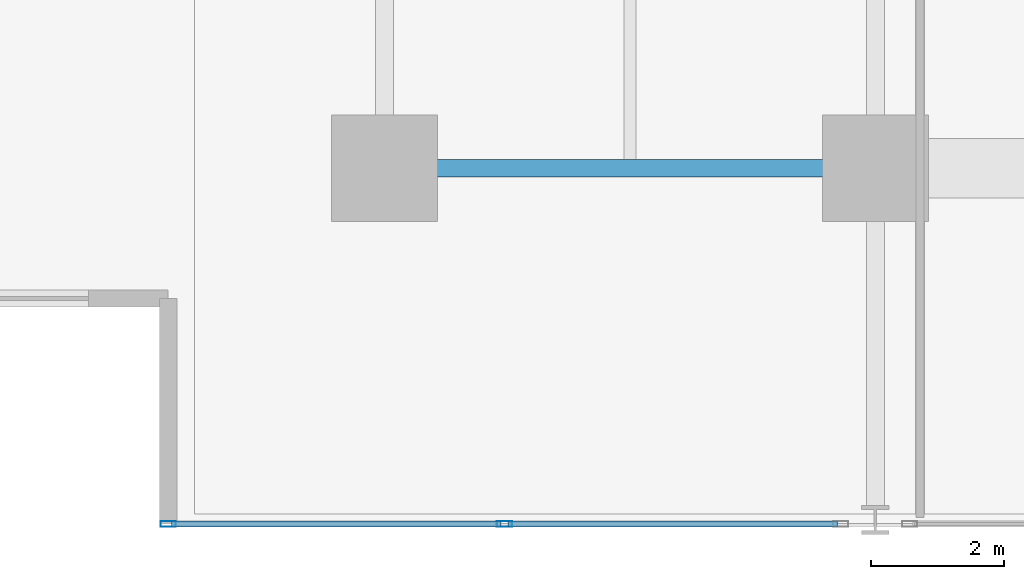
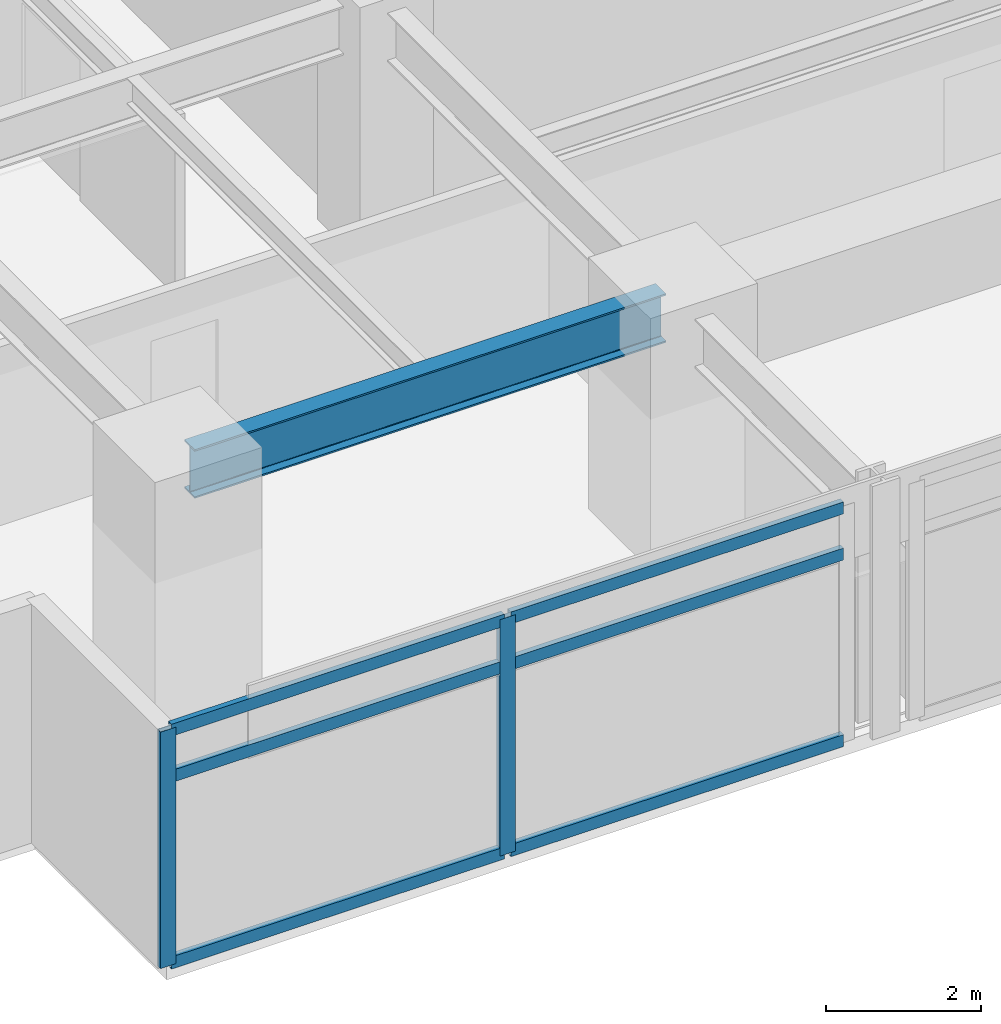
# One storey, part 2 of 20: 8 members, 1 beam, 1 element without a shape of its own.
"""IFC4 building model written with IfcOpenShell, lengths in metres."""

from ifc_helpers import new_model, si_unit, direction, frame, origin, origin_2d, place, context, subcontext, project, spatial, hollow_rectangle, i_section, extrude, material, material_profile, profile_set, type_object, element, aggregate, save


model = new_model("IFC4")

# Units and contexts
model_context = context("Model", 3, precision=1e-05, world=origin(), true_north=direction((0.0, 1.0)))
body_context = subcontext(model_context, "Body", "Model", "MODEL_VIEW")
ifc_project = project(units=[si_unit("LENGTHUNIT", "METRE"), si_unit("AREAUNIT", "SQUARE_METRE"), si_unit("VOLUMEUNIT", "CUBIC_METRE"), si_unit("PLANEANGLEUNIT", "RADIAN"), si_unit("MASSUNIT", "GRAM", prefix="KILO")], contexts=[model_context])

# Site, building, storey
site_placement = place(None, origin())
site = spatial("IfcSite", under=ifc_project, at=site_placement, CompositionType="ELEMENT")
building_placement = place(site_placement, origin())
building = spatial("IfcBuilding", under=site, at=building_placement, Name="Kovane Verandah Tower", CompositionType="ELEMENT")
storey_placement = place(building_placement, frame((0.0, 0.0, 160.39990234375)))
storey = spatial("IfcBuildingStorey", under=building, at=storey_placement, Name="L37", CompositionType="ELEMENT", Elevation=160.39990234375)

# Beam
ifc_material_1 = material(Name="Steel S355", Category="steel")
ifc_material_profile_1 = material_profile(ifc_material_1, i_section(OverallWidth=0.26806640625, OverallDepth=0.769775390625, WebThickness=0.015625, FlangeThickness=0.025390625, FilletRadius=0.0166015625, at=origin_2d()), Name="UB762x267x197")
ifc_profile_set_1 = profile_set([ifc_material_profile_1], Name="Steel S355")
beam_type = type_object("IfcBeamType", Name="BM-UB762x197", PredefinedType="BEAM", material=ifc_profile_set_1)
beam_placement = place(storey_placement, frame((21.780029296875, 10.800048828125, 3.39013671875), z_axis=(1.0, 0.0, 0.0), x_axis=(0.0, 1.0, 0.0)))
element("IfcBeam", 1, at=beam_placement, inside=storey, type_object=beam_type, Name="L37 Primary Tower Girder G-RS1", PredefinedType="BEAM", context=body_context, shape_type="SweptSolid", body=[
    extrude(i_section(OverallWidth=0.26806640625, OverallDepth=0.769775390625, WebThickness=0.015625, FlangeThickness=0.025390625, FilletRadius=0.0166015625, at=origin_2d()), origin(), (0.0, 0.0, 1.0), 7.0400390625),
])

# Curtain wall, members
ifc_material_2 = material(Name="Champagne Anodised Aluminium Frame with Low-E Clear Laminated Glass", Category="aluminium")
curtain_wall_type = type_object("IfcCurtainWallType", Name="CW-SYS-03-MID", PredefinedType="NOTDEFINED", material=ifc_material_2)
curtain_wall_placement = place(storey_placement, origin())
curtain_wall = element("IfcCurtainWall", 2, at=curtain_wall_placement, inside=storey, type_object=curtain_wall_type, Name="L37 S Unitised Curtain Wall-1", PredefinedType="NOTDEFINED")
ifc_material_3 = material(Name="Champagne Anodised Aluminium 6063-T6", Category="aluminium")
ifc_material_profile_2 = material_profile(ifc_material_3, hollow_rectangle(XDim=0.0849609375, YDim=0.22998046875, WallThickness=0.00390625, at=origin_2d()), Name="AL85x230x4")
ifc_profile_set_2 = profile_set([ifc_material_profile_2], Name="Champagne Anodised Aluminium 6063-T6")
member_type_1 = type_object("IfcMemberType", Name="CW-MUL-85x230", PredefinedType="MULLION", material=ifc_profile_set_2)
member_1_placement = place(storey_placement, frame((18.341064453125, 5.438720703125, 0.02001953125), z_axis=(0.0, 0.0, 1.0), x_axis=(0.0, -1.0, 0.0)))
member_1 = element("IfcMember", 3, at=member_1_placement, type_object=member_type_1, Name="L37 S Unitised Curtain Wall-1 Mullion 1", PredefinedType="MULLION", context=body_context, shape_type="SweptSolid", body=[
    extrude(hollow_rectangle(XDim=0.0849609375, YDim=0.22998046875, WallThickness=0.00390625, at=origin_2d()), origin(), (0.0, 0.0, 1.0), 3.735107421875),
])
member_2_placement = place(storey_placement, frame((23.410400390625, 5.438720703125, 0.02001953125), z_axis=(0.0, 0.0, 1.0), x_axis=(0.0, -1.0, 0.0)))
member_2 = element("IfcMember", 4, at=member_2_placement, type_object=member_type_1, Name="L37 S Unitised Curtain Wall-1 Mullion 2", PredefinedType="MULLION", context=body_context, shape_type="SweptSolid", body=[
    extrude(hollow_rectangle(XDim=0.0849609375, YDim=0.22998046875, WallThickness=0.00390625, at=origin_2d()), origin(), (0.0, 0.0, 1.0), 3.735107421875),
])
ifc_material_profile_3 = material_profile(ifc_material_3, hollow_rectangle(XDim=0.0849609375, YDim=0.18994140625, WallThickness=0.00390625, at=origin_2d()), Name="AL85x190x4")
ifc_profile_set_3 = profile_set([ifc_material_profile_3], Name="Champagne Anodised Aluminium 6063-T6")
member_type_2 = type_object("IfcMemberType", Name="CW-TRN-85x190", PredefinedType="USERDEFINED", material=ifc_profile_set_3)
member_3_placement = place(storey_placement, frame((18.39111328125, 5.438720703125, 0.050048828125), z_axis=(1.0, 0.0, 0.0), x_axis=(0.0, 1.0, 0.0)))
member_3 = element("IfcMember", 5, at=member_3_placement, type_object=member_type_2, Name="L37 S Unitised Curtain Wall-1 Transom TB Bay 1", ObjectType="TRANSOM", PredefinedType="USERDEFINED", context=body_context, shape_type="SweptSolid", body=[
    extrude(hollow_rectangle(XDim=0.0849609375, YDim=0.18994140625, WallThickness=0.00390625, at=origin_2d()), origin(), (0.0, 0.0, 1.0), 4.969482421875),
])
member_4_placement = place(storey_placement, frame((18.39111328125, 5.438720703125, 2.9951171875), z_axis=(1.0, 0.0, 0.0), x_axis=(0.0, 1.0, 0.0)))
member_4 = element("IfcMember", 6, at=member_4_placement, type_object=member_type_2, Name="L37 S Unitised Curtain Wall-1 Transom TM Bay 1", ObjectType="TRANSOM", PredefinedType="USERDEFINED", context=body_context, shape_type="SweptSolid", body=[
    extrude(hollow_rectangle(XDim=0.0849609375, YDim=0.18994140625, WallThickness=0.00390625, at=origin_2d()), origin(), (0.0, 0.0, 1.0), 4.969482421875),
])
member_5_placement = place(storey_placement, frame((18.39111328125, 5.438720703125, 3.72509765625), z_axis=(1.0, 0.0, 0.0), x_axis=(0.0, 1.0, 0.0)))
member_5 = element("IfcMember", 7, at=member_5_placement, type_object=member_type_2, Name="L37 S Unitised Curtain Wall-1 Transom TT Bay 1", ObjectType="TRANSOM", PredefinedType="USERDEFINED", context=body_context, shape_type="SweptSolid", body=[
    extrude(hollow_rectangle(XDim=0.0849609375, YDim=0.18994140625, WallThickness=0.00390625, at=origin_2d()), origin(), (0.0, 0.0, 1.0), 4.969482421875),
])
member_6_placement = place(storey_placement, frame((23.46044921875, 5.438720703125, 0.050048828125), z_axis=(1.0, 0.0, 0.0), x_axis=(0.0, 1.0, 0.0)))
member_6 = element("IfcMember", 8, at=member_6_placement, type_object=member_type_2, Name="L37 S Unitised Curtain Wall-1 Transom TB Bay 2", ObjectType="TRANSOM", PredefinedType="USERDEFINED", context=body_context, shape_type="SweptSolid", body=[
    extrude(hollow_rectangle(XDim=0.0849609375, YDim=0.18994140625, WallThickness=0.00390625, at=origin_2d()), origin(), (0.0, 0.0, 1.0), 4.969482421875),
])
member_7_placement = place(storey_placement, frame((23.46044921875, 5.438720703125, 2.9951171875), z_axis=(1.0, 0.0, 0.0), x_axis=(0.0, 1.0, 0.0)))
member_7 = element("IfcMember", 9, at=member_7_placement, type_object=member_type_2, Name="L37 S Unitised Curtain Wall-1 Transom TM Bay 2", ObjectType="TRANSOM", PredefinedType="USERDEFINED", context=body_context, shape_type="SweptSolid", body=[
    extrude(hollow_rectangle(XDim=0.0849609375, YDim=0.18994140625, WallThickness=0.00390625, at=origin_2d()), origin(), (0.0, 0.0, 1.0), 4.969482421875),
])
member_8_placement = place(storey_placement, frame((23.46044921875, 5.438720703125, 3.72509765625), z_axis=(1.0, 0.0, 0.0), x_axis=(0.0, 1.0, 0.0)))
member_8 = element("IfcMember", 10, at=member_8_placement, type_object=member_type_2, Name="L37 S Unitised Curtain Wall-1 Transom TT Bay 2", ObjectType="TRANSOM", PredefinedType="USERDEFINED", context=body_context, shape_type="SweptSolid", body=[
    extrude(hollow_rectangle(XDim=0.0849609375, YDim=0.18994140625, WallThickness=0.00390625, at=origin_2d()), origin(), (0.0, 0.0, 1.0), 4.969482421875),
])
aggregate(curtain_wall, [member_1, member_2, member_3, member_4, member_5, member_6, member_7, member_8])

save(model, "model.ifc")
